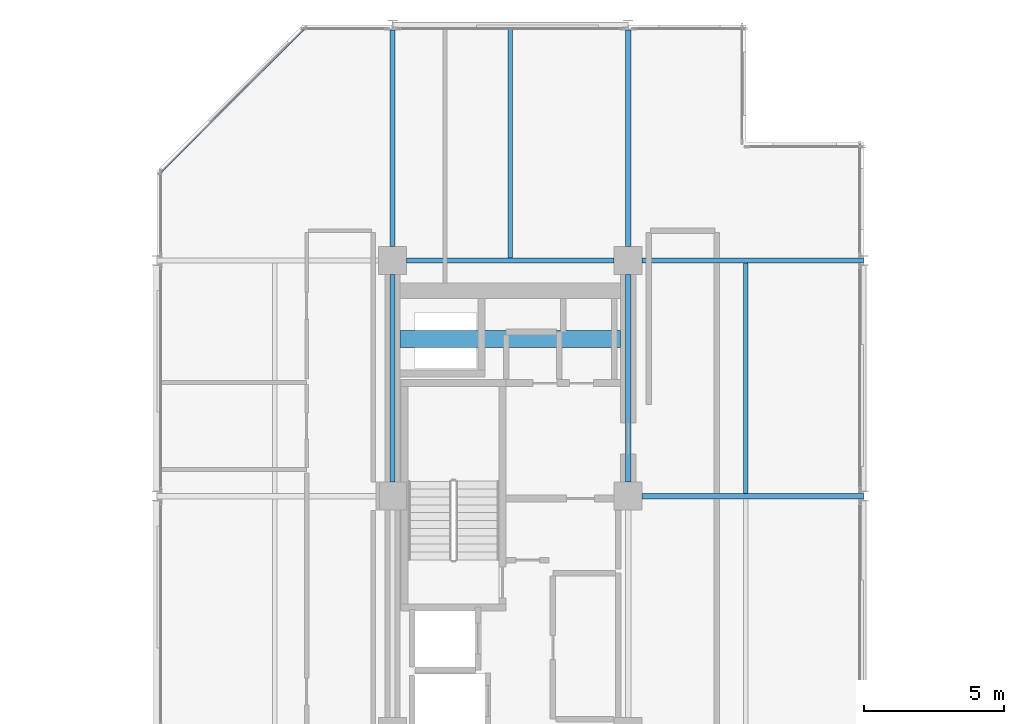
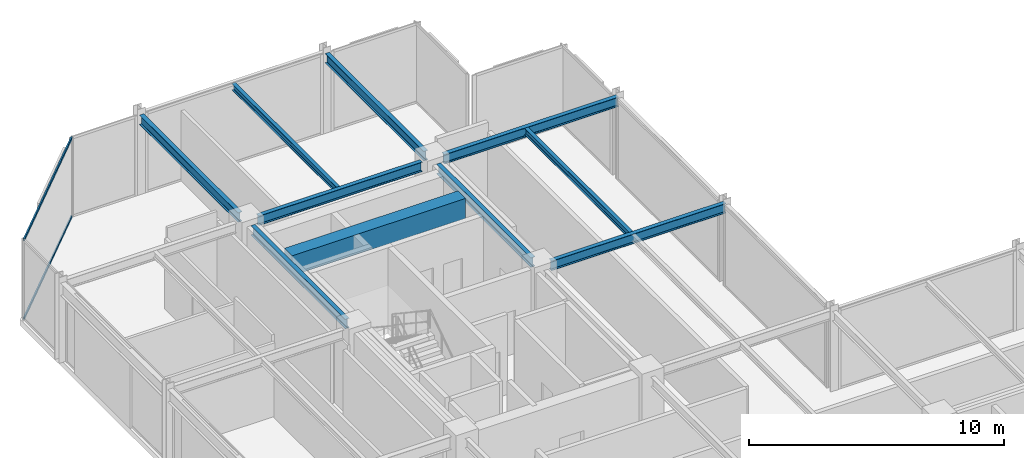
# One storey, part 18 of 29: 10 beams, 2 members, 1 element without a shape of its own.
"""IFC4 building model written with IfcOpenShell, lengths in metres."""

import ifcopenshell
import ifcopenshell.guid

model = None  # the IFC model being written
_history = None  # IfcOwnerHistory: only IFC2X3 demands one
_inside = {}  # id of a spatial element -> (the spatial element, [elements in it])
_under = {}  # id of a project, library or spatial element -> (it, [spatial elements below it])
_declared = {}  # id of a project -> (the project, [libraries it declares])
_typed = {}  # id of a type object -> (the type object, [elements of that type])
_made_of = {}  # id of a material, layer set ... -> (it, [elements and type objects made of it])


def new_model(schema):
    """Start an empty IFC model of exactly this schema.

    Asked for "IFC4X3", IfcOpenShell would pick the latest addendum, in which some entities
    have other attributes; the version numbers below select the first issue.
    IFC2X3 requires an IfcOwnerHistory on every rooted entity: one is made here for all.
    """
    global model, _history
    if schema == "IFC4X3":
        model = ifcopenshell.file(schema_version=(4, 3, 0, 0))
    else:
        model = ifcopenshell.file(schema=schema)
    _inside.clear()
    _under.clear()
    _declared.clear()
    _typed.clear()
    _made_of.clear()
    _history = None
    if model.schema == "IFC2X3":
        org = make("IfcOrganization", Name="unknown")
        user = make(
            "IfcPersonAndOrganization",
            ThePerson=make("IfcPerson", FamilyName="unknown"),
            TheOrganization=org,
        )
        app = make(
            "IfcApplication",
            ApplicationDeveloper=org,
            Version="unknown",
            ApplicationFullName="unknown",
            ApplicationIdentifier="unknown",
        )
        _history = make(
            "IfcOwnerHistory",
            OwningUser=user,
            OwningApplication=app,
            ChangeAction="ADDED",
            CreationDate=0,
        )
    return model


def make(cls, **values):
    """One entity of the class cls with the attributes given. An attribute that is None is left unset."""
    return model.create_entity(
        cls, **{name: value for name, value in values.items() if value is not None}
    )


def rooted(cls, **values):
    """An entity with a GlobalId (a new one), such as an element, a storey or a relation."""
    return make(cls, GlobalId=ifcopenshell.guid.new(), OwnerHistory=_history, **values)


def si_unit(unit_type, name, prefix=None):
    """IfcSIUnit, for example si_unit("LENGTHUNIT", "METRE", prefix="MILLI")."""
    return make("IfcSIUnit", UnitType=unit_type, Prefix=prefix, Name=name)


def assignment(units):
    """IfcUnitAssignment: the units of a project."""
    return None if units is None else make("IfcUnitAssignment", Units=units)


def point(xyz):
    """IfcCartesianPoint."""
    return None if xyz is None else make("IfcCartesianPoint", Coordinates=xyz)


def direction(xyz):
    """IfcDirection."""
    return None if xyz is None else make("IfcDirection", DirectionRatios=xyz)


def frame(location, z_axis=None, x_axis=None):
    """IfcAxis2Placement3D, a coordinate frame: its origin and axes. An axis left out is left unset."""
    return make(
        "IfcAxis2Placement3D",
        Location=point(location),
        Axis=direction(z_axis),
        RefDirection=direction(x_axis),
    )


def frame_2d(location, x_axis=None):
    """IfcAxis2Placement2D, a coordinate frame in the plane: its origin and x axis."""
    return make(
        "IfcAxis2Placement2D", Location=point(location), RefDirection=direction(x_axis)
    )


def origin():
    """The frame at (0, 0, 0) with its axes left unset."""
    return frame((0.0, 0.0, 0.0))


def origin_2d():
    """The frame at (0, 0) in the plane with its x axis left unset."""
    return frame_2d((0.0, 0.0))


def place(relative_to, where):
    """IfcLocalPlacement: puts the frame where relative to a parent placement (None: the world)."""
    return make(
        "IfcLocalPlacement", PlacementRelTo=relative_to, RelativePlacement=where
    )


def context(
    kind, dimensions, precision=None, world=None, true_north=None, identifier=None
):
    """IfcGeometricRepresentationContext, for example the 3D "Model" context."""
    return make(
        "IfcGeometricRepresentationContext",
        ContextIdentifier=identifier,
        ContextType=kind,
        CoordinateSpaceDimension=dimensions,
        Precision=precision,
        WorldCoordinateSystem=world,
        TrueNorth=true_north,
    )


def subcontext(parent, identifier, kind, view, scale=None):
    """IfcGeometricRepresentationSubContext, for example "Body" below "Model"."""
    return make(
        "IfcGeometricRepresentationSubContext",
        ContextIdentifier=identifier,
        ContextType=kind,
        ParentContext=parent,
        TargetScale=scale,
        TargetView=view,
    )


def project(units=None, contexts=None):
    """IfcProject with its units and contexts."""
    return rooted(
        "IfcProject",
        Name="project",
        RepresentationContexts=contexts,
        UnitsInContext=assignment(units),
    )


def spatial(cls, under=None, at=None, **own):
    """A site, building, storey or space (cls), placed at a placement, below another one or the project."""
    s = rooted(cls, ObjectPlacement=at, **own)
    if under is not None:
        _under.setdefault(under.id(), (under, []))[1].append(s)
    return s


def profile(cls, at=None, kind="AREA", **sizes):
    """A parametric profile (cls). Its sizes go by their IFC names, for example OverallWidth=200.0."""
    return make(cls, ProfileType=kind, Position=at, **sizes)


def rectangle(**sizes):
    """IfcRectangleProfileDef."""
    return profile("IfcRectangleProfileDef", **sizes)


def hollow_rectangle(**sizes):
    """IfcRectangleHollowProfileDef."""
    return profile("IfcRectangleHollowProfileDef", **sizes)


def i_section(**sizes):
    """IfcIShapeProfileDef."""
    return profile("IfcIShapeProfileDef", **sizes)


def extrude(swept, where, along, depth):
    """IfcExtrudedAreaSolid: the profile swept, set in the frame where, extruded along a direction by depth."""
    return make(
        "IfcExtrudedAreaSolid",
        SweptArea=swept,
        Position=where,
        ExtrudedDirection=direction(along),
        Depth=depth,
    )


def shape(context_of_items, identifier, shape_type, items):
    """IfcShapeRepresentation: the items that make up one representation, for example the "Body"."""
    return make(
        "IfcShapeRepresentation",
        ContextOfItems=context_of_items,
        RepresentationIdentifier=identifier,
        RepresentationType=shape_type,
        Items=items,
    )


def material(Name=None, Category=None):
    """IfcMaterial."""
    return make("IfcMaterial", Name=Name, Category=Category)


def layer(
    of_material, thickness, ventilated=None, Name=None, Category=None, Priority=None
):
    """IfcMaterialLayer: one layer of a wall or slab, of a material (None: an air gap)."""
    return make(
        "IfcMaterialLayer",
        Material=of_material,
        LayerThickness=thickness,
        IsVentilated=ventilated,
        Name=Name,
        Category=Category,
        Priority=Priority,
    )


def layer_set(layers, Name=None):
    """IfcMaterialLayerSet."""
    return make("IfcMaterialLayerSet", MaterialLayers=layers, LayerSetName=Name)


def material_profile(
    of_material, cross_section, Name=None, Category=None, Priority=None
):
    """IfcMaterialProfile: a cross section and its material."""
    return make(
        "IfcMaterialProfile",
        Name=Name,
        Material=of_material,
        Profile=cross_section,
        Priority=Priority,
        Category=Category,
    )


def profile_set(profiles, Name=None, composite=None):
    """IfcMaterialProfileSet."""
    return make(
        "IfcMaterialProfileSet",
        Name=Name,
        MaterialProfiles=profiles,
        CompositeProfile=composite,
    )


def made_of(thing, what):
    """Note that an element or type object is made of a material, layer set ...; save() writes the relation."""
    if what is not None:
        _made_of.setdefault(what.id(), (what, []))[1].append(thing)
    return thing


def type_object(cls, material=None, **own):
    """A type object (cls), such as IfcWallType, which elements share."""
    return made_of(rooted(cls, **own), material)


def element(
    cls,
    number,
    at=None,
    inside=None,
    cuts=None,
    type_object=None,
    material=None,
    context=None,
    identifier="Body",
    shape_type=None,
    held_by="IfcProductDefinitionShape",
    body=None,
    shapes=None,
    **own,
):
    """One element of the class cls, such as IfcWall. Its Tag is "e" and its number.

    at: its placement. inside: the storey or other place that contains it. cuts: it is an
    opening in that element (IfcRelVoidsElement). A single representation is given by context,
    identifier, shape_type and body (its items); several are given by shapes. held_by: the class
    of the entity that holds the representations. save() writes the other relations.
    """
    e = rooted(cls, Tag="e%d" % number, ObjectPlacement=at, **own)
    if body is not None:
        shapes = [shape(context, identifier, shape_type, body)]
    if shapes is not None:
        e.Representation = make(held_by, Representations=shapes)
    if inside is not None:
        _inside.setdefault(inside.id(), (inside, []))[1].append(e)
    if cuts is not None:
        rooted(
            "IfcRelVoidsElement", RelatingBuildingElement=cuts, RelatedOpeningElement=e
        )
    if type_object is not None:
        _typed.setdefault(type_object.id(), (type_object, []))[1].append(e)
    return made_of(e, material)


def aggregate(whole, parts):
    """IfcRelAggregates: a whole, such as a stair, and the parts it consists of."""
    return rooted("IfcRelAggregates", RelatingObject=whole, RelatedObjects=parts)


def save(model, path):
    """Write the relations noted so far, then the file.

    IfcRelAggregates (storeys below a building ...), IfcRelContainedInSpatialStructure (elements
    in a storey), IfcRelDefinesByType, IfcRelAssociatesMaterial and IfcRelDeclares: one each for
    every whole, place, type object, material and project.
    """
    for whole, parts in _under.values():
        aggregate(whole, parts)
    for where, things in _inside.values():
        rooted(
            "IfcRelContainedInSpatialStructure",
            RelatedElements=things,
            RelatingStructure=where,
        )
    for kind, things in _typed.values():
        rooted("IfcRelDefinesByType", RelatedObjects=things, RelatingType=kind)
    for what, things in _made_of.values():
        rooted("IfcRelAssociatesMaterial", RelatedObjects=things, RelatingMaterial=what)
    for by, libraries in _declared.values():
        rooted("IfcRelDeclares", RelatingContext=by, RelatedDefinitions=libraries)
    model.write(path)


model = new_model("IFC4")

# Units and contexts
model_context = context("Model", 3, precision=1e-05, world=origin(), true_north=direction((0.0, 1.0)))
body_context = subcontext(model_context, "Body", "Model", "MODEL_VIEW")
ifc_project = project(units=[si_unit("LENGTHUNIT", "METRE"), si_unit("AREAUNIT", "SQUARE_METRE"), si_unit("VOLUMEUNIT", "CUBIC_METRE"), si_unit("PLANEANGLEUNIT", "RADIAN"), si_unit("MASSUNIT", "GRAM", prefix="KILO")], contexts=[model_context])

# Site, building, storey
site_placement = place(None, origin())
site = spatial("IfcSite", under=ifc_project, at=site_placement, CompositionType="ELEMENT")
building_placement = place(site_placement, origin())
building = spatial("IfcBuilding", under=site, at=building_placement, Name="Nerrivon Quay Data Exchange", CompositionType="ELEMENT")
storey_placement = place(building_placement, frame((0.0, 0.0, 175.5)))
storey = spatial("IfcBuildingStorey", under=building, at=storey_placement, Name="L41", CompositionType="ELEMENT", Elevation=175.5)

# Beams
ifc_material_1 = material(Name="Concrete N50 (50 MPa)", Category="concrete")
ifc_material_profile_1 = material_profile(ifc_material_1, rectangle(XDim=0.60009765625, YDim=0.949951171875, at=origin_2d()), Name="RC-CB-600x950")
ifc_profile_set_1 = profile_set([ifc_material_profile_1], Name="Concrete N50 (50 MPa)")
beam_type_1 = type_object("IfcBeamType", Name="BM-CB2-600x950", PredefinedType="LINTEL", material=ifc_profile_set_1)
beam_1_placement = place(storey_placement, frame((8.675048828125, 39.199951171875, 3.35009765625), z_axis=(1.0, 0.0, 0.0), x_axis=(0.0, 1.0, 0.0)))
element("IfcBeam", 1, at=beam_1_placement, inside=storey, type_object=beam_type_1, Name="L41 West Core Coupling Beam", PredefinedType="LINTEL", context=body_context, shape_type="SweptSolid", body=[
    extrude(rectangle(XDim=0.60009765625, YDim=0.949951171875, at=origin_2d()), origin(), (0.0, 0.0, 1.0), 7.849853515625),
])
ifc_material_2 = material(Name="Steel Grade 350", Category="steel")
ifc_material_profile_2 = material_profile(ifc_material_2, i_section(OverallWidth=0.19091796875, OverallDepth=0.4599609375, WebThickness=0.010009765625, FlangeThickness=0.01611328125, FilletRadius=0.011474609375, at=origin_2d()), Name="460UB82.1")
ifc_profile_set_2 = profile_set([ifc_material_profile_2], Name="Steel Grade 350")
beam_type_2 = type_object("IfcBeamType", Name="BM-G5-460UB82", PredefinedType="BEAM", material=ifc_profile_set_2)
beam_2_placement = place(storey_placement, frame((17.300048828125, 33.60009765625, 3.594970703125), z_axis=(1.0, 0.0, 0.0), x_axis=(0.0, 1.0, 0.0)))
element("IfcBeam", 2, at=beam_2_placement, inside=storey, type_object=beam_type_2, Name="L41 EW Girder Y=33.6 (16.8..25.2)", PredefinedType="BEAM", context=body_context, shape_type="SweptSolid", body=[
    extrude(i_section(OverallWidth=0.19091796875, OverallDepth=0.4599609375, WebThickness=0.010009765625, FlangeThickness=0.01611328125, FilletRadius=0.011474609375, at=origin_2d()), origin(), (0.0, 0.0, 1.0), 7.889892578125),
])
beam_3_placement = place(storey_placement, frame((8.89990234375, 42.0, 3.594970703125), z_axis=(1.0, 0.0, 0.0), x_axis=(0.0, 1.0, 0.0)))
element("IfcBeam", 3, at=beam_3_placement, inside=storey, type_object=beam_type_2, Name="L41 EW Girder Y=42.0 (8.4..16.8)", PredefinedType="BEAM", context=body_context, shape_type="SweptSolid", body=[
    extrude(i_section(OverallWidth=0.19091796875, OverallDepth=0.4599609375, WebThickness=0.010009765625, FlangeThickness=0.01611328125, FilletRadius=0.011474609375, at=origin_2d()), origin(), (0.0, 0.0, 1.0), 7.400146484375),
])
beam_4_placement = place(storey_placement, frame((17.300048828125, 42.0, 3.594970703125), z_axis=(1.0, 0.0, 0.0), x_axis=(0.0, 1.0, 0.0)))
element("IfcBeam", 4, at=beam_4_placement, inside=storey, type_object=beam_type_2, Name="L41 EW Girder Y=42.0 (16.8..25.2)", PredefinedType="BEAM", context=body_context, shape_type="SweptSolid", body=[
    extrude(i_section(OverallWidth=0.19091796875, OverallDepth=0.4599609375, WebThickness=0.010009765625, FlangeThickness=0.01611328125, FilletRadius=0.011474609375, at=origin_2d()), origin(), (0.0, 0.0, 1.0), 7.889892578125),
])
ifc_material_profile_3 = material_profile(ifc_material_2, i_section(OverallWidth=0.18994140625, OverallDepth=0.4541015625, WebThickness=0.008544921875, FlangeThickness=0.0126953125, FilletRadius=0.011474609375, at=origin_2d()), Name="460UB67.1")
ifc_profile_set_3 = profile_set([ifc_material_profile_3], Name="Steel Grade 350")
beam_type_3 = type_object("IfcBeamType", Name="BM-G6-460UB67", PredefinedType="BEAM", material=ifc_profile_set_3)
beam_5_placement = place(storey_placement, frame((8.39990234375, 34.10009765625, 3.597900390625), z_axis=(0.0, 1.0, 0.0), x_axis=(-1.0, 0.0, 0.0)))
element("IfcBeam", 5, at=beam_5_placement, inside=storey, type_object=beam_type_3, Name="L41 NS Girder X=8.4 (33.6..42.0)", PredefinedType="BEAM", context=body_context, shape_type="SweptSolid", body=[
    extrude(i_section(OverallWidth=0.18994140625, OverallDepth=0.4541015625, WebThickness=0.008544921875, FlangeThickness=0.0126953125, FilletRadius=0.011474609375, at=origin_2d()), origin(), (0.0, 0.0, 1.0), 7.39990234375),
])
beam_6_placement = place(storey_placement, frame((8.39990234375, 42.5, 3.597900390625), z_axis=(0.0, 1.0, 0.0), x_axis=(-1.0, 0.0, 0.0)))
element("IfcBeam", 6, at=beam_6_placement, inside=storey, type_object=beam_type_3, Name="L41 NS Girder X=8.4 (42.0..50.4)", PredefinedType="BEAM", context=body_context, shape_type="SweptSolid", body=[
    extrude(i_section(OverallWidth=0.18994140625, OverallDepth=0.4541015625, WebThickness=0.008544921875, FlangeThickness=0.0126953125, FilletRadius=0.011474609375, at=origin_2d()), origin(), (0.0, 0.0, 1.0), 7.72509765625),
])
beam_7_placement = place(storey_placement, frame((16.800048828125, 34.10009765625, 3.597900390625), z_axis=(0.0, 1.0, 0.0), x_axis=(-1.0, 0.0, 0.0)))
element("IfcBeam", 7, at=beam_7_placement, inside=storey, type_object=beam_type_3, Name="L41 NS Girder X=16.8 (33.6..42.0)", PredefinedType="BEAM", context=body_context, shape_type="SweptSolid", body=[
    extrude(i_section(OverallWidth=0.18994140625, OverallDepth=0.4541015625, WebThickness=0.008544921875, FlangeThickness=0.0126953125, FilletRadius=0.011474609375, at=origin_2d()), origin(), (0.0, 0.0, 1.0), 7.39990234375),
])
beam_8_placement = place(storey_placement, frame((16.800048828125, 42.5, 3.597900390625), z_axis=(0.0, 1.0, 0.0), x_axis=(-1.0, 0.0, 0.0)))
element("IfcBeam", 8, at=beam_8_placement, inside=storey, type_object=beam_type_3, Name="L41 NS Girder X=16.8 (42.0..50.4)", PredefinedType="BEAM", context=body_context, shape_type="SweptSolid", body=[
    extrude(i_section(OverallWidth=0.18994140625, OverallDepth=0.4541015625, WebThickness=0.008544921875, FlangeThickness=0.0126953125, FilletRadius=0.011474609375, at=origin_2d()), origin(), (0.0, 0.0, 1.0), 7.72509765625),
])
ifc_material_profile_4 = material_profile(ifc_material_2, i_section(OverallWidth=0.166015625, OverallDepth=0.306884765625, WebThickness=0.006591796875, FlangeThickness=0.01171875, FilletRadius=0.011474609375, at=origin_2d()), Name="310UB46.2")
ifc_profile_set_4 = profile_set([ifc_material_profile_4], Name="Steel Grade 350")
beam_type_4 = type_object("IfcBeamType", Name="BM-J5-310UB46", PredefinedType="JOIST", material=ifc_profile_set_4)
beam_9_placement = place(storey_placement, frame((12.60009765625, 42.095458984375, 3.67138671875), z_axis=(0.0, 1.0, 0.0), x_axis=(-1.0, 0.0, 0.0)))
element("IfcBeam", 9, at=beam_9_placement, inside=storey, type_object=beam_type_4, Name="L41 Secondary Joist X=12.6 (42.0..50.4)", PredefinedType="JOIST", context=body_context, shape_type="SweptSolid", body=[
    extrude(i_section(OverallWidth=0.166015625, OverallDepth=0.306884765625, WebThickness=0.006591796875, FlangeThickness=0.01171875, FilletRadius=0.011474609375, at=origin_2d()), origin(), (0.0, 0.0, 1.0), 8.20458984375),
])
beam_10_placement = place(storey_placement, frame((21.0, 33.695556640625, 3.67138671875), z_axis=(0.0, 1.0, 0.0), x_axis=(-1.0, 0.0, 0.0)))
element("IfcBeam", 10, at=beam_10_placement, inside=storey, type_object=beam_type_4, Name="L41 Secondary Joist X=21.0 (33.6..42.0)", PredefinedType="JOIST", context=body_context, shape_type="SweptSolid", body=[
    extrude(i_section(OverallWidth=0.166015625, OverallDepth=0.306884765625, WebThickness=0.006591796875, FlangeThickness=0.01171875, FilletRadius=0.011474609375, at=origin_2d()), origin(), (0.0, 0.0, 1.0), 8.208984375),
])

# Curtain wall, members
ifc_material_3 = material(Name="Anodised aluminium 6063-T6", Category="aluminium")
ifc_layer = layer(ifc_material_3, 0.195068359375)
ifc_layer_set = layer_set([ifc_layer], Name="Anodised aluminium 6063-T6")
curtain_wall_type = type_object("IfcCurtainWallType", Name="CW-SYS-06", PredefinedType="NOTDEFINED", material=ifc_layer_set)
curtain_wall_placement = place(storey_placement, origin())
curtain_wall = element("IfcCurtainWall", 11, at=curtain_wall_placement, inside=storey, type_object=curtain_wall_type, Name="L41 Unitised Curtain Wall 7", PredefinedType="NOTDEFINED")
ifc_material_profile_5 = material_profile(ifc_material_3, hollow_rectangle(XDim=0.06005859375, YDim=0.1201171875, WallThickness=0.003173828125, at=origin_2d()), Name="ALU-TRAN-120x60")
ifc_profile_set_5 = profile_set([ifc_material_profile_5], Name="Anodised aluminium 6063-T6")
member_type = type_object("IfcMemberType", Name="CWT-120x60", PredefinedType="USERDEFINED", material=ifc_profile_set_5)
member_1_placement = place(storey_placement, frame((0.152099609375, 45.154052734375, 0.032470703125), z_axis=(0.707089835771, 0.707123726196, 0.0), x_axis=(-0.707123726196, 0.707089835771, 0.0)))
member_1 = element("IfcMember", 12, at=member_1_placement, type_object=member_type, Name="CW06 transom 1.1", ObjectType="TRANSOM", PredefinedType="USERDEFINED", context=body_context, shape_type="SweptSolid", body=[
    extrude(hollow_rectangle(XDim=0.06005859375, YDim=0.1201171875, WallThickness=0.003173828125, at=origin_2d()), origin(), (0.0, 0.0, 1.0), 7.203857421875),
])
member_2_placement = place(storey_placement, frame((0.152099609375, 45.154052734375, 3.79248046875), z_axis=(0.707089835771, 0.707123726196, 0.0), x_axis=(-0.707123726196, 0.707089835771, 0.0)))
member_2 = element("IfcMember", 13, at=member_2_placement, type_object=member_type, Name="CW06 transom 1.2", ObjectType="TRANSOM", PredefinedType="USERDEFINED", context=body_context, shape_type="SweptSolid", body=[
    extrude(hollow_rectangle(XDim=0.06005859375, YDim=0.1201171875, WallThickness=0.003173828125, at=origin_2d()), origin(), (0.0, 0.0, 1.0), 7.203857421875),
])
aggregate(curtain_wall, [member_1, member_2])

save(model, "model.ifc")
